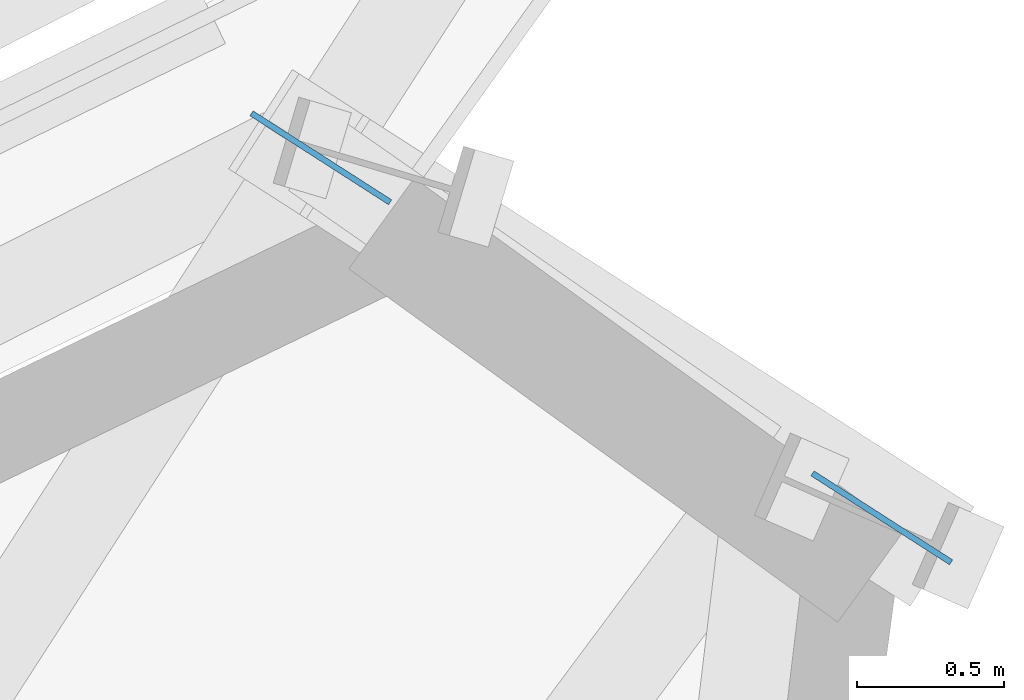
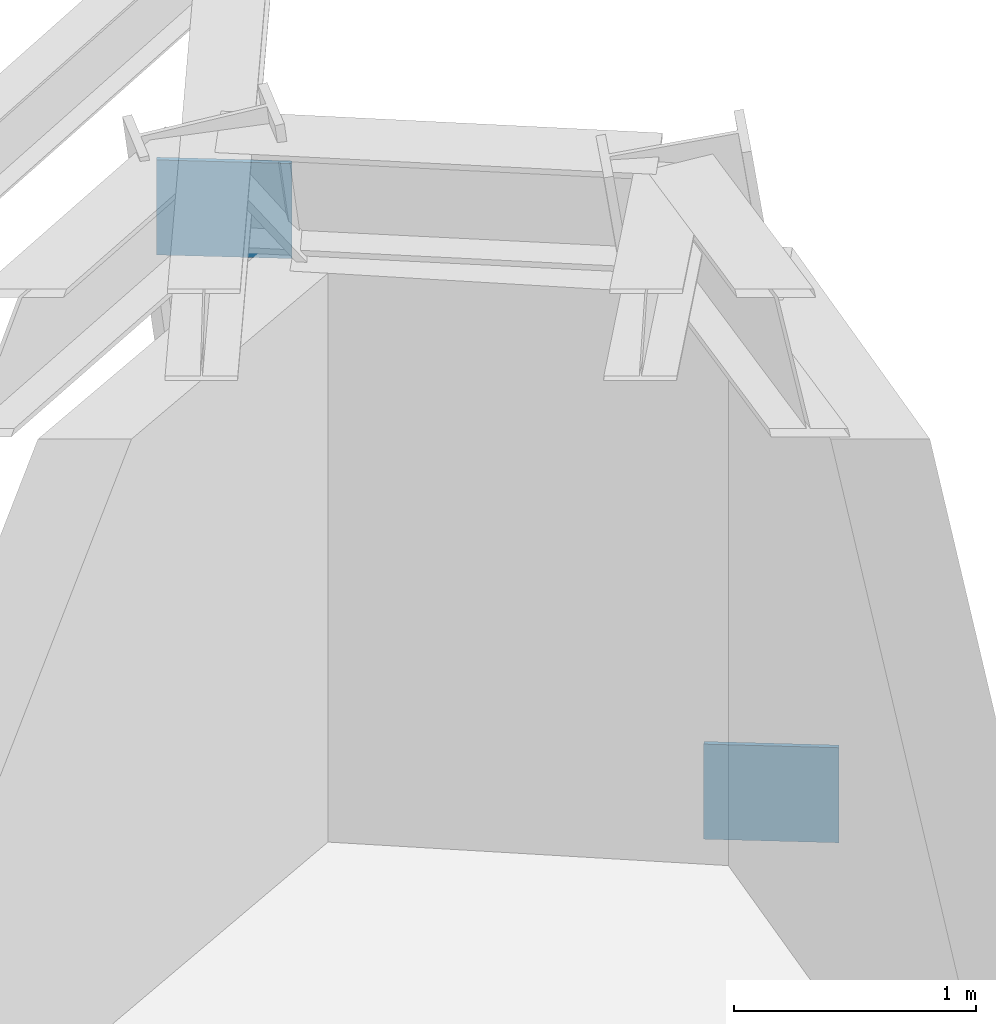
# One storey, part 8 of 14: 2 plates.
"""IFC4 building model written with IfcOpenShell, lengths in metres."""

from ifc_helpers import new_model, si_unit, direction, frame, origin, origin_2d, place, context, subcontext, project, spatial, rectangle, extrude, source, transform, mapped, material, type_object, element, save


model = new_model("IFC4")

# Units and contexts
model_context = context("Model", 3, precision=1e-05, world=origin(), true_north=direction((0.0, 1.0)))
body_context = subcontext(model_context, "Body", "Model", "MODEL_VIEW")
ifc_project = project(units=[si_unit("LENGTHUNIT", "METRE"), si_unit("AREAUNIT", "SQUARE_METRE"), si_unit("VOLUMEUNIT", "CUBIC_METRE"), si_unit("PLANEANGLEUNIT", "RADIAN"), si_unit("MASSUNIT", "GRAM", prefix="KILO")], contexts=[model_context])

# Site, building, storey
site_placement = place(None, origin())
site = spatial("IfcSite", under=ifc_project, at=site_placement, CompositionType="ELEMENT")
building_placement = place(site_placement, origin())
building = spatial("IfcBuilding", under=site, at=building_placement, Name="Olszyna Solenne Hotel", CompositionType="ELEMENT")
storey_placement = place(building_placement, frame((0.0, 0.0, 256.10009765625)))
storey = spatial("IfcBuildingStorey", under=building, at=storey_placement, Name="L68", CompositionType="ELEMENT", Elevation=256.10009765625)

# Plates
ifc_material = material(Name="Steel S355J2", Category="steel")
plate_type = type_object("IfcPlateType", Name="GP-ND2", PredefinedType="USERDEFINED", material=ifc_material)
shared_shape = source(origin(), body_context, "Body", "SweptSolid", [
    extrude(rectangle(XDim=0.56005859375, YDim=0.02001953125, at=origin_2d()), origin(), (0.0, 0.0, 1.0), 0.47998046875),
])
for number, where, z_axis, x_axis, name in (
    (1, (54.917724609375, 48.654541015625, -0.1201171875), (0.0, 0.0, 1.0), (-0.841605058851, 0.540093440912, 0.0), "Brace end connection gusset plate GP-ND2 EP-BR-L68-1-1"),
    (2, (53.01123046875, 49.878173828125, 2.7548828125), (0.0, 0.0, 1.0), (-0.841605058851, 0.540093440912, 0.0), "Brace end connection gusset plate GP-ND2 EP-BR-L68-1-2"),
):
    element("IfcPlate", number, at=place(storey_placement, frame(where, z_axis=z_axis, x_axis=x_axis)), inside=storey, type_object=plate_type, Name=name, ObjectType="GUSSET_PLATE", PredefinedType="USERDEFINED", context=body_context, shape_type="MappedRepresentation", body=[
        mapped(shared_shape, transform((0.0, 0.0, 0.0), x_axis=(1.0, 0.0, 0.0), y_axis=(0.0, 1.0, 0.0), z_axis=(0.0, 0.0, 1.0), scale=1.0)),
    ])

save(model, "model.ifc")
